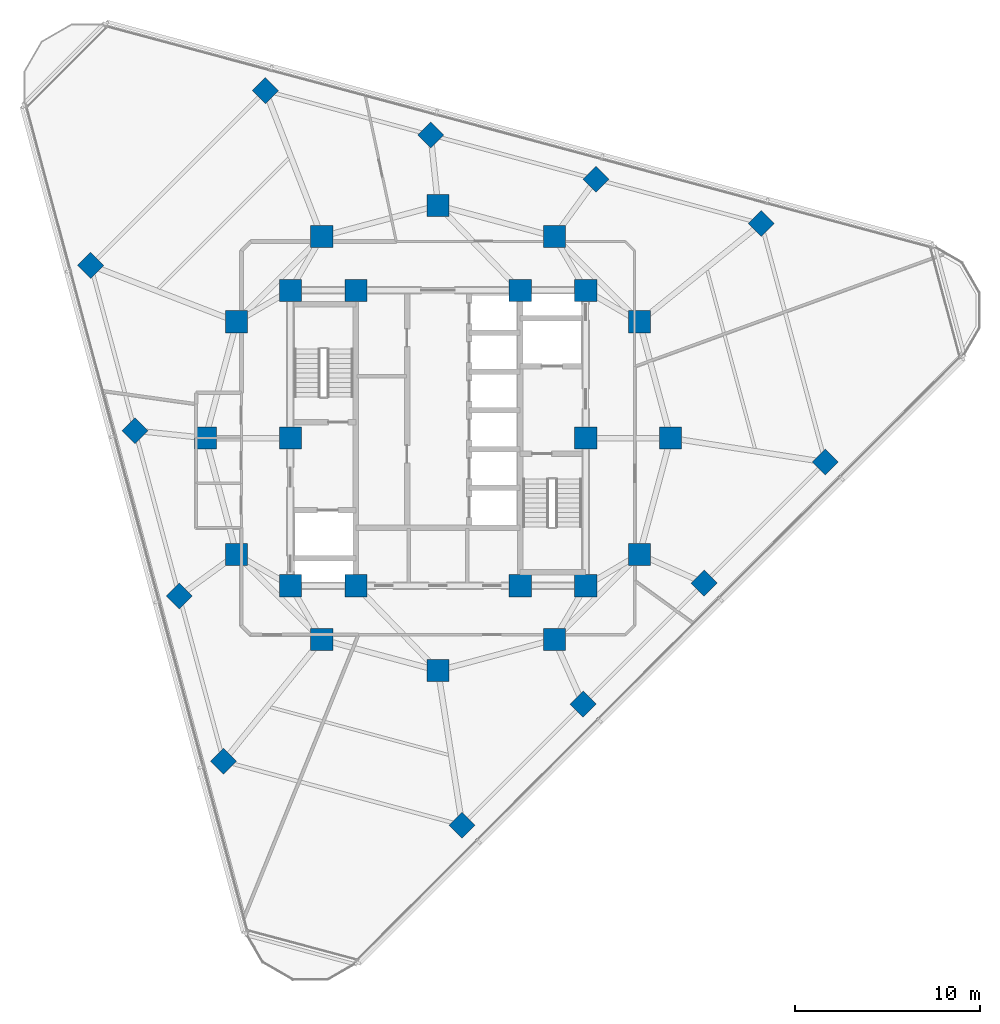
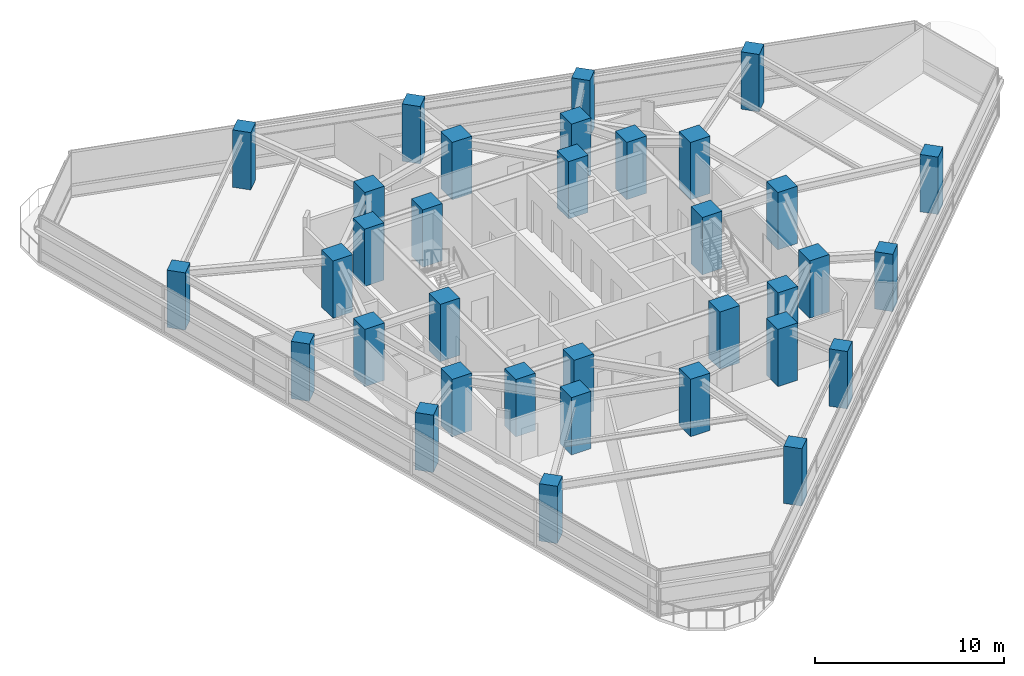
# One storey, part 1 of 13: 34 columns.
"""IFC4 building model written with IfcOpenShell, lengths in metres."""

import ifcopenshell
import ifcopenshell.guid

model = None  # the IFC model being written
_history = None  # IfcOwnerHistory: only IFC2X3 demands one
_inside = {}  # id of a spatial element -> (the spatial element, [elements in it])
_under = {}  # id of a project, library or spatial element -> (it, [spatial elements below it])
_declared = {}  # id of a project -> (the project, [libraries it declares])
_typed = {}  # id of a type object -> (the type object, [elements of that type])
_made_of = {}  # id of a material, layer set ... -> (it, [elements and type objects made of it])


def new_model(schema):
    """Start an empty IFC model of exactly this schema.

    Asked for "IFC4X3", IfcOpenShell would pick the latest addendum, in which some entities
    have other attributes; the version numbers below select the first issue.
    IFC2X3 requires an IfcOwnerHistory on every rooted entity: one is made here for all.
    """
    global model, _history
    if schema == "IFC4X3":
        model = ifcopenshell.file(schema_version=(4, 3, 0, 0))
    else:
        model = ifcopenshell.file(schema=schema)
    _inside.clear()
    _under.clear()
    _declared.clear()
    _typed.clear()
    _made_of.clear()
    _history = None
    if model.schema == "IFC2X3":
        org = make("IfcOrganization", Name="unknown")
        user = make(
            "IfcPersonAndOrganization",
            ThePerson=make("IfcPerson", FamilyName="unknown"),
            TheOrganization=org,
        )
        app = make(
            "IfcApplication",
            ApplicationDeveloper=org,
            Version="unknown",
            ApplicationFullName="unknown",
            ApplicationIdentifier="unknown",
        )
        _history = make(
            "IfcOwnerHistory",
            OwningUser=user,
            OwningApplication=app,
            ChangeAction="ADDED",
            CreationDate=0,
        )
    return model


def make(cls, **values):
    """One entity of the class cls with the attributes given. An attribute that is None is left unset."""
    return model.create_entity(
        cls, **{name: value for name, value in values.items() if value is not None}
    )


def rooted(cls, **values):
    """An entity with a GlobalId (a new one), such as an element, a storey or a relation."""
    return make(cls, GlobalId=ifcopenshell.guid.new(), OwnerHistory=_history, **values)


def si_unit(unit_type, name, prefix=None):
    """IfcSIUnit, for example si_unit("LENGTHUNIT", "METRE", prefix="MILLI")."""
    return make("IfcSIUnit", UnitType=unit_type, Prefix=prefix, Name=name)


def assignment(units):
    """IfcUnitAssignment: the units of a project."""
    return None if units is None else make("IfcUnitAssignment", Units=units)


def point(xyz):
    """IfcCartesianPoint."""
    return None if xyz is None else make("IfcCartesianPoint", Coordinates=xyz)


def direction(xyz):
    """IfcDirection."""
    return None if xyz is None else make("IfcDirection", DirectionRatios=xyz)


def frame(location, z_axis=None, x_axis=None):
    """IfcAxis2Placement3D, a coordinate frame: its origin and axes. An axis left out is left unset."""
    return make(
        "IfcAxis2Placement3D",
        Location=point(location),
        Axis=direction(z_axis),
        RefDirection=direction(x_axis),
    )


def frame_2d(location, x_axis=None):
    """IfcAxis2Placement2D, a coordinate frame in the plane: its origin and x axis."""
    return make(
        "IfcAxis2Placement2D", Location=point(location), RefDirection=direction(x_axis)
    )


def origin():
    """The frame at (0, 0, 0) with its axes left unset."""
    return frame((0.0, 0.0, 0.0))


def origin_2d():
    """The frame at (0, 0) in the plane with its x axis left unset."""
    return frame_2d((0.0, 0.0))


def place(relative_to, where):
    """IfcLocalPlacement: puts the frame where relative to a parent placement (None: the world)."""
    return make(
        "IfcLocalPlacement", PlacementRelTo=relative_to, RelativePlacement=where
    )


def context(
    kind, dimensions, precision=None, world=None, true_north=None, identifier=None
):
    """IfcGeometricRepresentationContext, for example the 3D "Model" context."""
    return make(
        "IfcGeometricRepresentationContext",
        ContextIdentifier=identifier,
        ContextType=kind,
        CoordinateSpaceDimension=dimensions,
        Precision=precision,
        WorldCoordinateSystem=world,
        TrueNorth=true_north,
    )


def subcontext(parent, identifier, kind, view, scale=None):
    """IfcGeometricRepresentationSubContext, for example "Body" below "Model"."""
    return make(
        "IfcGeometricRepresentationSubContext",
        ContextIdentifier=identifier,
        ContextType=kind,
        ParentContext=parent,
        TargetScale=scale,
        TargetView=view,
    )


def project(units=None, contexts=None):
    """IfcProject with its units and contexts."""
    return rooted(
        "IfcProject",
        Name="project",
        RepresentationContexts=contexts,
        UnitsInContext=assignment(units),
    )


def spatial(cls, under=None, at=None, **own):
    """A site, building, storey or space (cls), placed at a placement, below another one or the project."""
    s = rooted(cls, ObjectPlacement=at, **own)
    if under is not None:
        _under.setdefault(under.id(), (under, []))[1].append(s)
    return s


def profile(cls, at=None, kind="AREA", **sizes):
    """A parametric profile (cls). Its sizes go by their IFC names, for example OverallWidth=200.0."""
    return make(cls, ProfileType=kind, Position=at, **sizes)


def rectangle(**sizes):
    """IfcRectangleProfileDef."""
    return profile("IfcRectangleProfileDef", **sizes)


def extrude(swept, where, along, depth):
    """IfcExtrudedAreaSolid: the profile swept, set in the frame where, extruded along a direction by depth."""
    return make(
        "IfcExtrudedAreaSolid",
        SweptArea=swept,
        Position=where,
        ExtrudedDirection=direction(along),
        Depth=depth,
    )


def shape(context_of_items, identifier, shape_type, items):
    """IfcShapeRepresentation: the items that make up one representation, for example the "Body"."""
    return make(
        "IfcShapeRepresentation",
        ContextOfItems=context_of_items,
        RepresentationIdentifier=identifier,
        RepresentationType=shape_type,
        Items=items,
    )


def material(Name=None, Category=None):
    """IfcMaterial."""
    return make("IfcMaterial", Name=Name, Category=Category)


def material_profile(
    of_material, cross_section, Name=None, Category=None, Priority=None
):
    """IfcMaterialProfile: a cross section and its material."""
    return make(
        "IfcMaterialProfile",
        Name=Name,
        Material=of_material,
        Profile=cross_section,
        Priority=Priority,
        Category=Category,
    )


def profile_set(profiles, Name=None, composite=None):
    """IfcMaterialProfileSet."""
    return make(
        "IfcMaterialProfileSet",
        Name=Name,
        MaterialProfiles=profiles,
        CompositeProfile=composite,
    )


def made_of(thing, what):
    """Note that an element or type object is made of a material, layer set ...; save() writes the relation."""
    if what is not None:
        _made_of.setdefault(what.id(), (what, []))[1].append(thing)
    return thing


def type_object(cls, material=None, **own):
    """A type object (cls), such as IfcWallType, which elements share."""
    return made_of(rooted(cls, **own), material)


def element(
    cls,
    number,
    at=None,
    inside=None,
    cuts=None,
    type_object=None,
    material=None,
    context=None,
    identifier="Body",
    shape_type=None,
    held_by="IfcProductDefinitionShape",
    body=None,
    shapes=None,
    **own,
):
    """One element of the class cls, such as IfcWall. Its Tag is "e" and its number.

    at: its placement. inside: the storey or other place that contains it. cuts: it is an
    opening in that element (IfcRelVoidsElement). A single representation is given by context,
    identifier, shape_type and body (its items); several are given by shapes. held_by: the class
    of the entity that holds the representations. save() writes the other relations.
    """
    e = rooted(cls, Tag="e%d" % number, ObjectPlacement=at, **own)
    if body is not None:
        shapes = [shape(context, identifier, shape_type, body)]
    if shapes is not None:
        e.Representation = make(held_by, Representations=shapes)
    if inside is not None:
        _inside.setdefault(inside.id(), (inside, []))[1].append(e)
    if cuts is not None:
        rooted(
            "IfcRelVoidsElement", RelatingBuildingElement=cuts, RelatedOpeningElement=e
        )
    if type_object is not None:
        _typed.setdefault(type_object.id(), (type_object, []))[1].append(e)
    return made_of(e, material)


def aggregate(whole, parts):
    """IfcRelAggregates: a whole, such as a stair, and the parts it consists of."""
    return rooted("IfcRelAggregates", RelatingObject=whole, RelatedObjects=parts)


def save(model, path):
    """Write the relations noted so far, then the file.

    IfcRelAggregates (storeys below a building ...), IfcRelContainedInSpatialStructure (elements
    in a storey), IfcRelDefinesByType, IfcRelAssociatesMaterial and IfcRelDeclares: one each for
    every whole, place, type object, material and project.
    """
    for whole, parts in _under.values():
        aggregate(whole, parts)
    for where, things in _inside.values():
        rooted(
            "IfcRelContainedInSpatialStructure",
            RelatedElements=things,
            RelatingStructure=where,
        )
    for kind, things in _typed.values():
        rooted("IfcRelDefinesByType", RelatedObjects=things, RelatingType=kind)
    for what, things in _made_of.values():
        rooted("IfcRelAssociatesMaterial", RelatedObjects=things, RelatingMaterial=what)
    for by, libraries in _declared.values():
        rooted("IfcRelDeclares", RelatingContext=by, RelatedDefinitions=libraries)
    model.write(path)


model = new_model("IFC4")

# Units and contexts
model_context = context("Model", 3, precision=1e-05, world=origin(), true_north=direction((0.0, 1.0)))
body_context = subcontext(model_context, "Body", "Model", "MODEL_VIEW")
ifc_project = project(units=[si_unit("LENGTHUNIT", "METRE"), si_unit("AREAUNIT", "SQUARE_METRE"), si_unit("VOLUMEUNIT", "CUBIC_METRE"), si_unit("PLANEANGLEUNIT", "RADIAN"), si_unit("MASSUNIT", "GRAM", prefix="KILO")], contexts=[model_context])

# Site, building, storey
site_placement = place(None, origin())
site = spatial("IfcSite", under=ifc_project, at=site_placement, CompositionType="ELEMENT")
building_placement = place(site_placement, origin())
building = spatial("IfcBuilding", under=site, at=building_placement, Name="Terralouvre Media Tower", CompositionType="ELEMENT")
storey_placement = place(building_placement, frame((0.0, 0.0, 202.699951171875)))
storey = spatial("IfcBuildingStorey", under=building, at=storey_placement, Name="L52", CompositionType="ELEMENT", Elevation=202.699951171875)

# Columns
ifc_material_1 = material(Name="Concrete C50/60", Category="concrete")
ifc_material_profile_1 = material_profile(ifc_material_1, rectangle(XDim=1.0, YDim=1.0, at=origin_2d()), Name="RC 1000x1000")
ifc_profile_set_1 = profile_set([ifc_material_profile_1], Name="Concrete C50/60")
column_type_1 = type_object("IfcColumnType", Name="Structural Column C-RC1000 (RC 1000x1000)", PredefinedType="COLUMN", material=ifc_profile_set_1)
for number, where, z_axis, x_axis, name in (
    (1, (1.3046875, -20.973388671875, 0.0), (0.0, 0.0, 1.0), (0.707106781187, 0.707106781187, 0.0), "L52 Perimeter Mega-Column PC11"),
    (2, (7.86083984375, -14.417236328125, 0.0), (0.0, 0.0, 1.0), (0.707106781187, 0.707106781187, 0.0), "L52 Perimeter Mega-Column PC12"),
    (3, (14.417236328125, -7.86083984375, 0.0), (0.0, 0.0, 1.0), (0.707106781187, 0.707106781187, 0.0), "L52 Perimeter Mega-Column PC13"),
    (4, (20.973388671875, -1.3046875, 0.0), (0.0, 0.0, 1.0), (0.707106781187, 0.707106781187, 0.0), "L52 Perimeter Mega-Column PC14"),
    (5, (17.51123046875, 11.616455078125, 0.0), (0.0, 0.0, 1.0), (0.707106781187, 0.707106781187, 0.0), "L52 Perimeter Mega-Column PC21"),
    (6, (8.55517578125, 14.016357421875, 0.0), (0.0, 0.0, 1.0), (0.707106781187, 0.707106781187, 0.0), "L52 Perimeter Mega-Column PC22"),
    (7, (-0.40087890625, 16.416015625, 0.0), (0.0, 0.0, 1.0), (0.707106781187, 0.707106781187, 0.0), "L52 Perimeter Mega-Column PC23"),
    (8, (-9.35693359375, 18.81591796875, 0.0), (0.0, 0.0, 1.0), (0.707106781187, 0.707106781187, 0.0), "L52 Perimeter Mega-Column PC24"),
    (9, (-18.81591796875, 9.35693359375, 0.0), (0.0, 0.0, 1.0), (0.707106781187, 0.707106781187, 0.0), "L52 Perimeter Mega-Column PC31"),
    (10, (-16.416015625, 0.40087890625, 0.0), (0.0, 0.0, 1.0), (0.707106781187, 0.707106781187, 0.0), "L52 Perimeter Mega-Column PC32"),
    (11, (-14.016357421875, -8.55517578125, 0.0), (0.0, 0.0, 1.0), (0.707106781187, 0.707106781187, 0.0), "L52 Perimeter Mega-Column PC33"),
    (12, (-11.616455078125, -17.51123046875, 0.0), (0.0, 0.0, 1.0), (0.707106781187, 0.707106781187, 0.0), "L52 Perimeter Mega-Column PC34"),
):
    element("IfcColumn", number, at=place(storey_placement, frame(where, z_axis=z_axis, x_axis=x_axis)), inside=storey, type_object=column_type_1, Name=name, PredefinedType="COLUMN", context=body_context, shape_type="SweptSolid", body=[
        extrude(rectangle(XDim=1.0, YDim=1.0, at=origin_2d()), origin(), (0.0, 0.0, 1.0), 3.699951171875),
    ])
ifc_material_2 = material(Name="Concrete C60/75", Category="concrete")
ifc_material_profile_2 = material_profile(ifc_material_2, rectangle(XDim=1.199951171875, YDim=1.199951171875, at=origin_2d()), Name="RC 1200x1200")
ifc_profile_set_2 = profile_set([ifc_material_profile_2], Name="Concrete C60/75")
column_type_2 = type_object("IfcColumnType", Name="Structural Column C-RC1200 (RC 1200x1200)", PredefinedType="COLUMN", material=ifc_profile_set_2)
for number, where, z_axis, x_axis, name in (
    (13, (-8.0, -8.0, 0.0), (0.0, 0.0, 1.0), (1.0, 0.0, 0.0), "L52 Core Pilaster Column CP1"),
    (14, (-4.449951171875, -8.0, 0.0), (0.0, 0.0, 1.0), (1.0, 0.0, 0.0), "L52 Core Pilaster Column CP2"),
    (15, (4.449951171875, -8.0, 0.0), (0.0, 0.0, 1.0), (1.0, 0.0, 0.0), "L52 Core Pilaster Column CP10"),
    (16, (8.0, -8.0, 0.0), (0.0, 0.0, 1.0), (1.0, 0.0, 0.0), "L52 Core Pilaster Column CP3"),
    (17, (8.0, 0.0, 0.0), (0.0, 0.0, 1.0), (1.0, 0.0, 0.0), "L52 Core Pilaster Column CP4"),
    (18, (8.0, 8.0, 0.0), (0.0, 0.0, 1.0), (1.0, 0.0, 0.0), "L52 Core Pilaster Column CP5"),
    (19, (4.449951171875, 8.0, 0.0), (0.0, 0.0, 1.0), (1.0, 0.0, 0.0), "L52 Core Pilaster Column CP9"),
    (20, (-4.449951171875, 8.0, 0.0), (0.0, 0.0, 1.0), (1.0, 0.0, 0.0), "L52 Core Pilaster Column CP6"),
    (21, (-8.0, 8.0, 0.0), (0.0, 0.0, 1.0), (1.0, 0.0, 0.0), "L52 Core Pilaster Column CP7"),
    (22, (-8.0, 0.0, 0.0), (0.0, 0.0, 1.0), (1.0, 0.0, 0.0), "L52 Core Pilaster Column CP8"),
    (23, (12.60009765625, 0.0, 0.0), (0.0, 0.0, 1.0), (1.0, 0.0, 0.0), "L52 Mega-Frame Column MC01"),
    (24, (10.911865234375, 6.300048828125, 0.0), (0.0, 0.0, 1.0), (1.0, 0.0, 0.0), "L52 Mega-Frame Column MC02"),
    (25, (6.300048828125, 10.911865234375, 0.0), (0.0, 0.0, 1.0), (1.0, 0.0, 0.0), "L52 Mega-Frame Column MC03"),
    (26, (0.0, 12.60009765625, 0.0), (0.0, 0.0, 1.0), (1.0, 0.0, 0.0), "L52 Mega-Frame Column MC04"),
    (27, (-6.300048828125, 10.911865234375, 0.0), (0.0, 0.0, 1.0), (1.0, 0.0, 0.0), "L52 Mega-Frame Column MC05"),
    (28, (-10.911865234375, 6.300048828125, 0.0), (0.0, 0.0, 1.0), (1.0, 0.0, 0.0), "L52 Mega-Frame Column MC06"),
    (29, (-12.60009765625, 0.0, 0.0), (0.0, 0.0, 1.0), (1.0, 0.0, 0.0), "L52 Mega-Frame Column MC07"),
    (30, (-10.911865234375, -6.300048828125, 0.0), (0.0, 0.0, 1.0), (1.0, 0.0, 0.0), "L52 Mega-Frame Column MC08"),
    (31, (-6.300048828125, -10.911865234375, 0.0), (0.0, 0.0, 1.0), (1.0, 0.0, 0.0), "L52 Mega-Frame Column MC09"),
    (32, (0.0, -12.60009765625, 0.0), (0.0, 0.0, 1.0), (1.0, 0.0, 0.0), "L52 Mega-Frame Column MC10"),
    (33, (6.300048828125, -10.911865234375, 0.0), (0.0, 0.0, 1.0), (1.0, 0.0, 0.0), "L52 Mega-Frame Column MC11"),
    (34, (10.911865234375, -6.300048828125, 0.0), (0.0, 0.0, 1.0), (1.0, 0.0, 0.0), "L52 Mega-Frame Column MC12"),
):
    element("IfcColumn", number, at=place(storey_placement, frame(where, z_axis=z_axis, x_axis=x_axis)), inside=storey, type_object=column_type_2, Name=name, PredefinedType="COLUMN", context=body_context, shape_type="SweptSolid", body=[
        extrude(rectangle(XDim=1.199951171875, YDim=1.199951171875, at=origin_2d()), origin(), (0.0, 0.0, 1.0), 3.699951171875),
    ])

save(model, "model.ifc")
